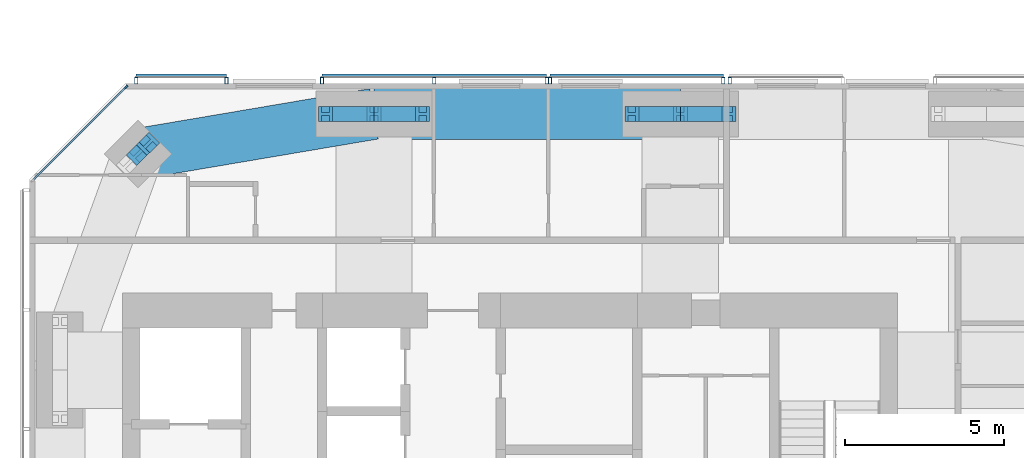
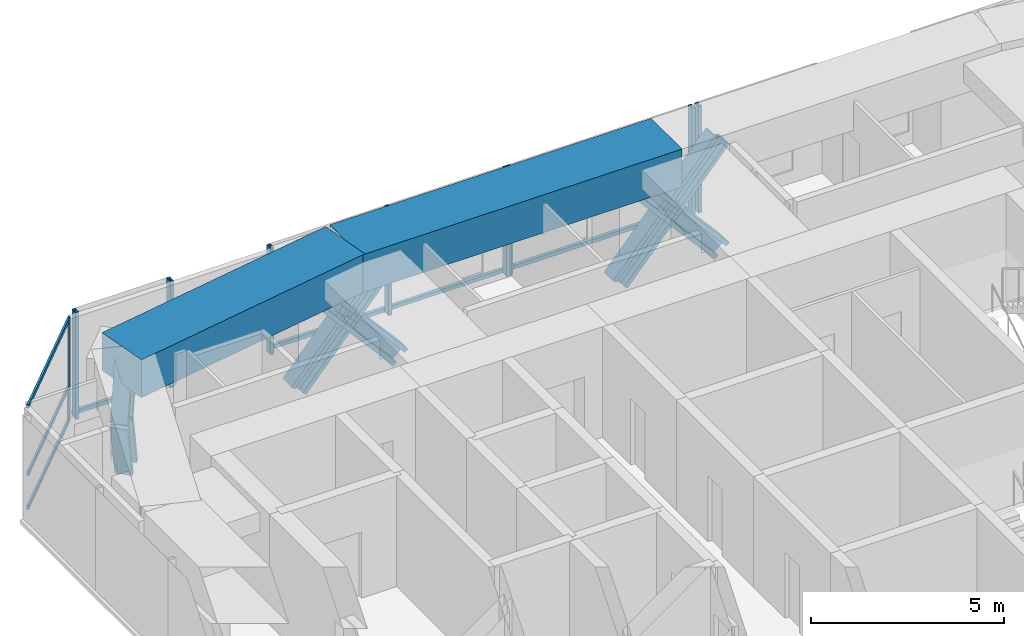
# One storey, part 10 of 19: 25 members, 2 beams, 5 elements without a shape of their own.
"""IFC4 building model written with IfcOpenShell, lengths in metres."""

from ifc_helpers import new_model, si_unit, direction, frame, origin, origin_2d, place, context, subcontext, project, spatial, rectangle, hollow_rectangle, i_section, extrude, material, material_profile, profile_set, type_object, element, aggregate, save


model = new_model("IFC4")

# Units and contexts
model_context = context("Model", 3, precision=1e-05, world=origin(), true_north=direction((0.0, 1.0)))
body_context = subcontext(model_context, "Body", "Model", "MODEL_VIEW")
ifc_project = project(units=[si_unit("LENGTHUNIT", "METRE"), si_unit("AREAUNIT", "SQUARE_METRE"), si_unit("VOLUMEUNIT", "CUBIC_METRE"), si_unit("PLANEANGLEUNIT", "RADIAN"), si_unit("MASSUNIT", "GRAM", prefix="KILO")], contexts=[model_context])

# Site, building, storey
site_placement = place(None, origin())
site = spatial("IfcSite", under=ifc_project, at=site_placement, CompositionType="ELEMENT")
building_placement = place(site_placement, origin())
building = spatial("IfcBuilding", under=site, at=building_placement, Name="Jalousie Tower", CompositionType="ELEMENT")
storey_placement = place(building_placement, frame((0.0, 0.0, 224.949951171875)))
storey = spatial("IfcBuildingStorey", under=building, at=storey_placement, Name="L61", CompositionType="ELEMENT", Elevation=224.949951171875)

# Curtain wall, members
ifc_material_1 = material(Name="Aluminium curtain wall", Category="aluminium")
curtain_wall_type_1 = type_object("IfcCurtainWallType", Name="CORNER WINDOW WALL", PredefinedType="USERDEFINED", material=ifc_material_1)
curtain_wall_1_placement = place(storey_placement, origin())
curtain_wall_1 = element("IfcCurtainWall", 1, at=curtain_wall_1_placement, inside=storey, type_object=curtain_wall_type_1, Name="Corner Window Wall L61 6", ObjectType="CORNER WINDOW WALL", PredefinedType="USERDEFINED")
ifc_material_2 = material(Name="Aluminium mullion", Category="aluminium")
ifc_material_profile_1 = material_profile(ifc_material_2, rectangle(XDim=0.06005859375, YDim=0.14990234375, at=origin_2d()), Name="MULLION 60x150")
ifc_profile_set_1 = profile_set([ifc_material_profile_1], Name="Aluminium mullion")
member_type_1 = type_object("IfcMemberType", Name="CORNER WINDOW WALL MULLION", PredefinedType="MULLION", material=ifc_profile_set_1)
member_1_placement = place(storey_placement, frame((19.830078125, 33.891357421875, 0.0), z_axis=(0.0, 0.0, 1.0), x_axis=(0.707106781187, -0.707106781187, 0.0)))
member_1 = element("IfcMember", 2, at=member_1_placement, type_object=member_type_1, Name="CW-C mullion 1", PredefinedType="MULLION", context=body_context, shape_type="SweptSolid", body=[
    extrude(rectangle(XDim=0.06005859375, YDim=0.14990234375, at=origin_2d()), origin(), (0.0, 0.0, 1.0), 3.260009765625),
])
ifc_material_3 = material(Name="Aluminium transom", Category="aluminium")
ifc_material_profile_2 = material_profile(ifc_material_3, rectangle(XDim=0.06005859375, YDim=0.1201171875, at=origin_2d()), Name="TRANSOM 60x120")
ifc_profile_set_2 = profile_set([ifc_material_profile_2], Name="Aluminium transom")
member_type_2 = type_object("IfcMemberType", Name="CORNER WINDOW WALL TRANSOM", PredefinedType="USERDEFINED", material=ifc_profile_set_2)
member_2_placement = place(storey_placement, frame((19.808837890625, 33.8701171875, 0.030029296875), z_axis=(-0.707106781187, -0.707106781187, 0.0), x_axis=(0.707106781187, -0.707106781187, 0.0)))
member_2 = element("IfcMember", 3, at=member_2_placement, type_object=member_type_2, Name="CW-C transom 1.1", ObjectType="TRANSOM", PredefinedType="USERDEFINED", context=body_context, shape_type="SweptSolid", body=[
    extrude(rectangle(XDim=0.06005859375, YDim=0.1201171875, at=origin_2d()), origin(), (0.0, 0.0, 1.0), 4.0712890625),
])
member_3_placement = place(storey_placement, frame((19.808837890625, 33.8701171875, 1.10009765625), z_axis=(-0.707106781187, -0.707106781187, 0.0), x_axis=(0.707106781187, -0.707106781187, 0.0)))
member_3 = element("IfcMember", 4, at=member_3_placement, type_object=member_type_2, Name="CW-C transom 1.2", ObjectType="TRANSOM", PredefinedType="USERDEFINED", context=body_context, shape_type="SweptSolid", body=[
    extrude(rectangle(XDim=0.06005859375, YDim=0.1201171875, at=origin_2d()), origin(), (0.0, 0.0, 1.0), 4.0712890625),
])
member_4_placement = place(storey_placement, frame((19.808837890625, 33.8701171875, 3.22998046875), z_axis=(-0.707106781187, -0.707106781187, 0.0), x_axis=(0.707106781187, -0.707106781187, 0.0)))
member_4 = element("IfcMember", 5, at=member_4_placement, type_object=member_type_2, Name="CW-C transom 1.3", ObjectType="TRANSOM", PredefinedType="USERDEFINED", context=body_context, shape_type="SweptSolid", body=[
    extrude(rectangle(XDim=0.06005859375, YDim=0.1201171875, at=origin_2d()), origin(), (0.0, 0.0, 1.0), 4.0712890625),
])
aggregate(curtain_wall_1, [member_1, member_2, member_3, member_4])

# Members
ifc_material_4 = material(Name="Steel ASTM A992 Grade 50", Category="steel")
ifc_material_profile_3 = material_profile(ifc_material_4, i_section(OverallWidth=0.472412109375, OverallDepth=0.5791015625, WebThickness=0.094970703125, FlangeThickness=0.1298828125, at=origin_2d()), Name="W14X808")
ifc_profile_set_3 = profile_set([ifc_material_profile_3], Name="Steel ASTM A992 Grade 50")
member_type_3 = type_object("IfcMemberType", Name="PERIMETER BRACE W14X808", PredefinedType="BRACE", material=ifc_profile_set_3)
for number, where, z_axis, x_axis, name in (
    (6, (35.72509765625, 33.050048828125, -0.599853515625), (0.65695436777, 0.0, 0.753930340726), (0.0, 1.0, 0.0), "Perimeter brace 10 L61 part 1"),
    (7, (37.25, 33.050048828125, 1.150146484375), (0.65695436777, 0.0, 0.753930340726), (0.0, 1.0, 0.0), "Perimeter brace 10 L61 part 2"),
    (8, (38.77490234375, 33.050048828125, -0.599853515625), (-0.65695436777, 0.0, 0.753930340726), (0.0, -1.0, 0.0), "Perimeter brace 10 L61 part 3"),
    (9, (37.25, 33.050048828125, 1.150146484375), (-0.65695436777, 0.0, 0.753930340726), (0.0, -1.0, 0.0), "Perimeter brace 10 L61 part 4"),
    (10, (26.10009765625, 33.050048828125, -0.599853515625), (0.65695436777, 0.0, 0.753930340726), (0.0, 1.0, 0.0), "Perimeter brace 11 L61 part 1"),
    (11, (27.625, 33.050048828125, 1.150146484375), (0.65695436777, 0.0, 0.753930340726), (0.0, 1.0, 0.0), "Perimeter brace 11 L61 part 2"),
    (12, (29.14990234375, 33.050048828125, -0.599853515625), (-0.65695436777, 0.0, 0.753930340726), (0.0, -1.0, 0.0), "Perimeter brace 11 L61 part 3"),
    (13, (27.625, 33.050048828125, 1.150146484375), (-0.65695436777, 0.0, 0.753930340726), (0.0, -1.0, 0.0), "Perimeter brace 11 L61 part 4"),
):
    element("IfcMember", number, at=place(storey_placement, frame(where, z_axis=z_axis, x_axis=x_axis)), inside=storey, type_object=member_type_3, Name=name, PredefinedType="BRACE", context=body_context, shape_type="SweptSolid", body=[
        extrude(i_section(OverallWidth=0.472412109375, OverallDepth=0.5791015625, WebThickness=0.094970703125, FlangeThickness=0.1298828125, at=origin_2d()), origin(), (0.0, 0.0, 1.0), 2.3212890625),
    ])
for number, where, z_axis, x_axis, name in (
    (14, (20.525390625, 32.111083984375, -0.599853515625), (-0.17618653952, -0.176051427143, 0.968485517854), (0.706835495285, -0.707377963048, 0.0), "Perimeter brace 12 L61 part 1"),
    (15, (20.20703125, 31.79296875, 1.150146484375), (0.17618653952, 0.176051427143, 0.968485517854), (-0.706835495285, 0.707377963048, 0.0), "Perimeter brace 12 L61 part 4"),
):
    element("IfcMember", number, at=place(storey_placement, frame(where, z_axis=z_axis, x_axis=x_axis)), inside=storey, type_object=member_type_3, Name=name, PredefinedType="BRACE", context=body_context, shape_type="SweptSolid", body=[
        extrude(i_section(OverallWidth=0.472412109375, OverallDepth=0.5791015625, WebThickness=0.094970703125, FlangeThickness=0.1298828125, at=origin_2d()), origin(), (0.0, 0.0, 1.0), 1.806884765625),
    ])

# Beams
ifc_material_5 = material(Name="Concrete f'c 40 MPa", Category="concrete")
ifc_material_profile_4 = material_profile(ifc_material_5, rectangle(XDim=1.60009765625, YDim=1.199951171875, at=origin_2d()), Name="RC 1600x1200")
ifc_profile_set_4 = profile_set([ifc_material_profile_4], Name="Concrete f'c 40 MPa")
beam_type = type_object("IfcBeamType", Name="RC BEAM 1600x1200", PredefinedType="BEAM", material=ifc_profile_set_4)
beam_1_placement = place(storey_placement, frame((37.25, 33.050048828125, 2.900146484375), z_axis=(-1.0, 0.0, 0.0), x_axis=(0.0, -1.0, 0.0)))
element("IfcBeam", 16, at=beam_1_placement, inside=storey, type_object=beam_type, Name="Edge band beam 10-11 under L62", PredefinedType="BEAM", context=body_context, shape_type="SweptSolid", body=[
    extrude(rectangle(XDim=1.60009765625, YDim=1.199951171875, at=origin_2d()), origin(), (0.0, 0.0, 1.0), 9.625),
])
beam_2_placement = place(storey_placement, frame((27.625, 33.050048828125, 2.900146484375), z_axis=(-0.985942997446, -0.167082033105, 0.0), x_axis=(0.167082033105, -0.985942997446, 0.0)))
element("IfcBeam", 17, at=beam_2_placement, inside=storey, type_object=beam_type, Name="Edge band beam 11-12 under L62", PredefinedType="BEAM", context=body_context, shape_type="SweptSolid", body=[
    extrude(rectangle(XDim=1.60009765625, YDim=1.199951171875, at=origin_2d()), origin(), (0.0, 0.0, 1.0), 7.523681640625),
])

# Curtain wall, member
ifc_material_6 = material(Name="Perforated aluminium sheet", Category="aluminium")
curtain_wall_type_2 = type_object("IfcCurtainWallType", Name="SOLAR SCREEN SS-2", PredefinedType="USERDEFINED", material=ifc_material_6)
curtain_wall_2_placement = place(storey_placement, origin())
curtain_wall_2 = element("IfcCurtainWall", 18, at=curtain_wall_2_placement, inside=storey, type_object=curtain_wall_type_2, Name="Solar screen L61", ObjectType="SOLAR SCREEN SS-2", PredefinedType="USERDEFINED")
ifc_material_7 = material(Name="Steel ASTM A500 Grade C", Category="steel")
ifc_material_profile_5 = material_profile(ifc_material_7, hollow_rectangle(XDim=0.1015625, YDim=0.203125, WallThickness=0.0078125, at=origin_2d()), Name="HSS8X4X5/16")
ifc_profile_set_5 = profile_set([ifc_material_profile_5], Name="Steel ASTM A500 Grade C")
member_type_4 = type_object("IfcMemberType", Name="SOLAR SCREEN SS-2 MULLION", PredefinedType="MULLION", material=ifc_profile_set_5)
member_5_placement = place(storey_placement, frame((38.800048828125, 34.0966796875, -0.119873046875), z_axis=(0.0, 0.0, 1.0), x_axis=(-1.0, 0.0, 0.0)))
member_5 = element("IfcMember", 19, at=member_5_placement, type_object=member_type_4, Name="SS2 post 2", PredefinedType="MULLION", context=body_context, shape_type="SweptSolid", body=[
    extrude(hollow_rectangle(XDim=0.1015625, YDim=0.203125, WallThickness=0.0078125, at=origin_2d()), origin(), (0.0, 0.0, 1.0), 3.3798828125),
])
aggregate(curtain_wall_2, [member_5])

# Curtain wall, members
curtain_wall_3_placement = place(storey_placement, origin())
curtain_wall_3 = element("IfcCurtainWall", 20, at=curtain_wall_3_placement, inside=storey, type_object=curtain_wall_type_2, Name="Solar screen L61", ObjectType="SOLAR SCREEN SS-2", PredefinedType="USERDEFINED")
member_6_placement = place(storey_placement, frame((38.60009765625, 34.0966796875, -0.119873046875), z_axis=(0.0, 0.0, 1.0), x_axis=(-1.0, 0.0, 0.0)))
member_6 = element("IfcMember", 21, at=member_6_placement, type_object=member_type_4, Name="SS2 post 1", PredefinedType="MULLION", context=body_context, shape_type="SweptSolid", body=[
    extrude(hollow_rectangle(XDim=0.1015625, YDim=0.203125, WallThickness=0.0078125, at=origin_2d()), origin(), (0.0, 0.0, 1.0), 3.3798828125),
])
member_7_placement = place(storey_placement, frame((33.14990234375, 34.0966796875, -0.119873046875), z_axis=(0.0, 0.0, 1.0), x_axis=(-1.0, 0.0, 0.0)))
member_7 = element("IfcMember", 22, at=member_7_placement, type_object=member_type_4, Name="SS2 post 2", PredefinedType="MULLION", context=body_context, shape_type="SweptSolid", body=[
    extrude(hollow_rectangle(XDim=0.1015625, YDim=0.203125, WallThickness=0.0078125, at=origin_2d()), origin(), (0.0, 0.0, 1.0), 3.3798828125),
])

curtain_wall_4_placement = place(storey_placement, origin())
curtain_wall_4 = element("IfcCurtainWall", 23, at=curtain_wall_4_placement, inside=storey, type_object=curtain_wall_type_2, Name="Solar screen L61", ObjectType="SOLAR SCREEN SS-2", PredefinedType="USERDEFINED")
member_8_placement = place(storey_placement, frame((33.050048828125, 34.0966796875, -0.119873046875), z_axis=(0.0, 0.0, 1.0), x_axis=(-1.0, 0.0, 0.0)))
member_8 = element("IfcMember", 24, at=member_8_placement, type_object=member_type_4, Name="SS2 post 1", PredefinedType="MULLION", context=body_context, shape_type="SweptSolid", body=[
    extrude(hollow_rectangle(XDim=0.1015625, YDim=0.203125, WallThickness=0.0078125, at=origin_2d()), origin(), (0.0, 0.0, 1.0), 3.3798828125),
])
member_9_placement = place(storey_placement, frame((29.51904296875, 34.0966796875, -0.119873046875), z_axis=(0.0, 0.0, 1.0), x_axis=(-1.0, 0.0, 0.0)))
member_9 = element("IfcMember", 25, at=member_9_placement, type_object=member_type_4, Name="SS2 post 2", PredefinedType="MULLION", context=body_context, shape_type="SweptSolid", body=[
    extrude(hollow_rectangle(XDim=0.1015625, YDim=0.203125, WallThickness=0.0078125, at=origin_2d()), origin(), (0.0, 0.0, 1.0), 3.3798828125),
])
member_10_placement = place(storey_placement, frame((25.988037109375, 34.0966796875, -0.119873046875), z_axis=(0.0, 0.0, 1.0), x_axis=(-1.0, 0.0, 0.0)))
member_10 = element("IfcMember", 26, at=member_10_placement, type_object=member_type_4, Name="SS2 post 3", PredefinedType="MULLION", context=body_context, shape_type="SweptSolid", body=[
    extrude(hollow_rectangle(XDim=0.1015625, YDim=0.203125, WallThickness=0.0078125, at=origin_2d()), origin(), (0.0, 0.0, 1.0), 3.3798828125),
])

curtain_wall_5_placement = place(storey_placement, origin())
curtain_wall_5 = element("IfcCurtainWall", 27, at=curtain_wall_5_placement, inside=storey, type_object=curtain_wall_type_2, Name="Solar screen L61", ObjectType="SOLAR SCREEN SS-2", PredefinedType="USERDEFINED")
member_11_placement = place(storey_placement, frame((22.988037109375, 34.0966796875, -0.119873046875), z_axis=(0.0, 0.0, 1.0), x_axis=(-1.0, 0.0, 0.0)))
member_11 = element("IfcMember", 28, at=member_11_placement, type_object=member_type_4, Name="SS2 post 1", PredefinedType="MULLION", context=body_context, shape_type="SweptSolid", body=[
    extrude(hollow_rectangle(XDim=0.1015625, YDim=0.203125, WallThickness=0.0078125, at=origin_2d()), origin(), (0.0, 0.0, 1.0), 3.3798828125),
])
member_12_placement = place(storey_placement, frame((20.1513671875, 34.0966796875, -0.119873046875), z_axis=(0.0, 0.0, 1.0), x_axis=(-1.0, 0.0, 0.0)))
member_12 = element("IfcMember", 29, at=member_12_placement, type_object=member_type_4, Name="SS2 post 2", PredefinedType="MULLION", context=body_context, shape_type="SweptSolid", body=[
    extrude(hollow_rectangle(XDim=0.1015625, YDim=0.203125, WallThickness=0.0078125, at=origin_2d()), origin(), (0.0, 0.0, 1.0), 3.3798828125),
])

# Member
ifc_material_8 = material(Name="Extruded aluminium screen rail", Category="aluminium")
ifc_material_profile_6 = material_profile(ifc_material_8, rectangle(XDim=0.1015625, YDim=0.1201171875, at=origin_2d()), Name="RAIL 102x120")
ifc_profile_set_6 = profile_set([ifc_material_profile_6], Name="Extruded aluminium screen rail")
member_type_5 = type_object("IfcMemberType", Name="SOLAR SCREEN SS-2 TRANSOM", PredefinedType="USERDEFINED", material=ifc_profile_set_6)
member_13_placement = place(storey_placement, frame((38.60009765625, 34.2490234375, -0.06005859375), z_axis=(-1.0, 0.0, 0.0), x_axis=(0.0, -1.0, 0.0)))
member_13 = element("IfcMember", 30, at=member_13_placement, type_object=member_type_5, Name="SS2 rail", ObjectType="TRANSOM", PredefinedType="USERDEFINED", context=body_context, shape_type="SweptSolid", body=[
    extrude(rectangle(XDim=0.1015625, YDim=0.1201171875, at=origin_2d()), origin(), (0.0, 0.0, 1.0), 5.4501953125),
])

aggregate(curtain_wall_3, [member_6, member_7, member_13])

member_14_placement = place(storey_placement, frame((33.050048828125, 34.2490234375, -0.06005859375), z_axis=(-1.0, 0.0, 0.0), x_axis=(0.0, -1.0, 0.0)))
member_14 = element("IfcMember", 31, at=member_14_placement, type_object=member_type_5, Name="SS2 rail", ObjectType="TRANSOM", PredefinedType="USERDEFINED", context=body_context, shape_type="SweptSolid", body=[
    extrude(rectangle(XDim=0.1015625, YDim=0.1201171875, at=origin_2d()), origin(), (0.0, 0.0, 1.0), 7.06201171875),
])

aggregate(curtain_wall_4, [member_8, member_9, member_10, member_14])

member_15_placement = place(storey_placement, frame((22.988037109375, 34.2490234375, -0.06005859375), z_axis=(-1.0, 0.0, 0.0), x_axis=(0.0, -1.0, 0.0)))
member_15 = element("IfcMember", 32, at=member_15_placement, type_object=member_type_5, Name="SS2 rail", ObjectType="TRANSOM", PredefinedType="USERDEFINED", context=body_context, shape_type="SweptSolid", body=[
    extrude(rectangle(XDim=0.1015625, YDim=0.1201171875, at=origin_2d()), origin(), (0.0, 0.0, 1.0), 2.836669921875),
])

aggregate(curtain_wall_5, [member_11, member_12, member_15])

save(model, "model.ifc")
